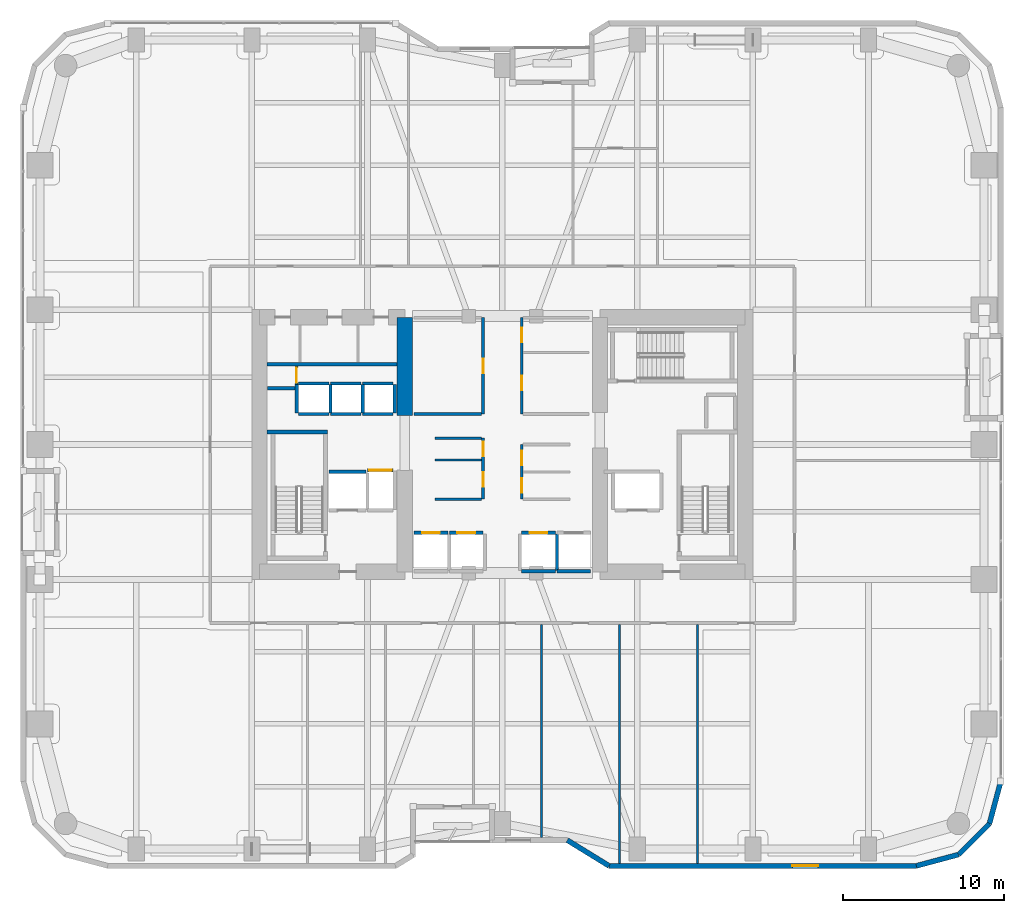
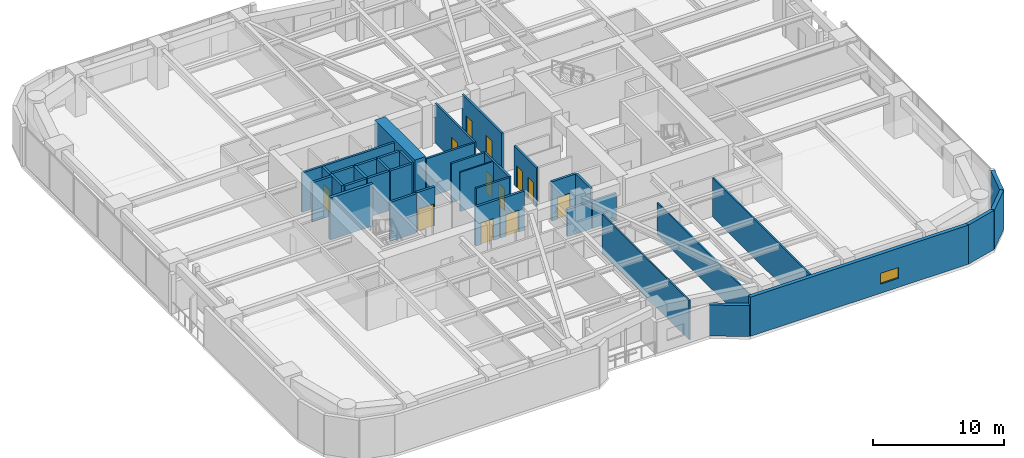
# One storey, part 23 of 29: 39 walls, 12 doors, 1 window, 13 openings.
"""IFC4 building model written with IfcOpenShell, lengths in metres."""

from ifc_helpers import new_model, si_unit, direction, frame, frame_2d, origin, place, context, subcontext, project, spatial, rectangle, extrude, material, layer, layer_set, type_object, element, fill, save


model = new_model("IFC4")

# Units and contexts
model_context = context("Model", 3, precision=1e-05, world=origin(), true_north=direction((0.0, 1.0)))
body_context = subcontext(model_context, "Body", "Model", "MODEL_VIEW")
ifc_project = project(units=[si_unit("LENGTHUNIT", "METRE"), si_unit("AREAUNIT", "SQUARE_METRE"), si_unit("VOLUMEUNIT", "CUBIC_METRE"), si_unit("PLANEANGLEUNIT", "RADIAN"), si_unit("MASSUNIT", "GRAM", prefix="KILO")], contexts=[model_context])

# Site, building, storey
site_placement = place(None, origin())
site = spatial("IfcSite", under=ifc_project, at=site_placement, CompositionType="ELEMENT")
building_placement = place(site_placement, origin())
building = spatial("IfcBuilding", under=site, at=building_placement, Name="Kiyonajd Concourse Tower", CompositionType="ELEMENT")
storey_placement = place(building_placement, frame((0.0, 0.0, 45.0)))
storey = spatial("IfcBuildingStorey", under=building, at=storey_placement, Name="L12", CompositionType="ELEMENT", Elevation=45.0)

# Walls
ifc_material_1 = material(Name="Concrete C80/95", Category="concrete")
ifc_layer_1 = layer(ifc_material_1, 0.949951171875)
ifc_layer_set_1 = layer_set([ifc_layer_1], Name="Concrete C80/95")
wall_type_1 = type_object("IfcWallType", Name="WL-CORE-950", PredefinedType="SHEAR", material=ifc_layer_set_1)
wall_1_placement = place(storey_placement, frame((41.925048828125, 37.800048828125, 0.0), z_axis=(0.0, 0.0, 1.0), x_axis=(0.0, 1.0, 0.0)))
element("IfcWall", 1, at=wall_1_placement, inside=storey, type_object=wall_type_1, Name="L12 West Core Inner North Shear Wall", PredefinedType="SHEAR", context=body_context, shape_type="SweptSolid", body=[
    extrude(rectangle(XDim=6.125, YDim=0.949951171875, at=frame_2d((3.0625, 0.0))), origin(), (0.0, 0.0, 1.0), 3.89990234375),
])
ifc_material_2 = material(Name="Precast concrete C50/60", Category="concrete")
ifc_layer_2 = layer(ifc_material_2, 0.320068359375)
ifc_layer_set_2 = layer_set([ifc_layer_2], Name="Precast concrete C50/60")
wall_type_2 = type_object("IfcWallType", Name="WL-EXT-320", PredefinedType="SOLIDWALL", material=ifc_layer_set_2)
wall_2_placement = place(storey_placement, frame((79.0400390625, 15.02099609375, 0.0), z_axis=(0.0, 0.0, 1.0), x_axis=(-0.25869736047, -0.965958423373, 0.0)))
element("IfcWall", 2, at=wall_2_placement, inside=storey, type_object=wall_type_2, Name="L12 Exterior Concrete Frame Wall 25", PredefinedType="SOLIDWALL", context=body_context, shape_type="SweptSolid", body=[
    extrude(rectangle(XDim=2.731201171875, YDim=0.320068359375, at=frame_2d((1.36572265625, 0.0))), origin(), (0.0, 0.0, 1.0), 3.639892578125),
])
wall_3_placement = place(storey_placement, frame((78.33349609375, 12.3828125, 0.0), z_axis=(0.0, 0.0, 1.0), x_axis=(-0.707106781187, -0.707106781187, 0.0)))
element("IfcWall", 3, at=wall_3_placement, inside=storey, type_object=wall_type_2, Name="L12 Exterior Concrete Frame Wall 26", PredefinedType="SOLIDWALL", context=body_context, shape_type="SweptSolid", body=[
    extrude(rectangle(XDim=2.7099609375, YDim=0.320068359375, at=frame_2d((1.35498046875, 0.0))), origin(), (0.0, 0.0, 1.0), 3.639892578125),
])
wall_4_placement = place(storey_placement, frame((76.417236328125, 10.466552734375, 0.0), z_axis=(0.0, 0.0, 1.0), x_axis=(-0.965964405026, -0.25867502435, 0.0)))
element("IfcWall", 4, at=wall_4_placement, inside=storey, type_object=wall_type_2, Name="L12 Exterior Concrete Frame Wall 27", PredefinedType="SOLIDWALL", context=body_context, shape_type="SweptSolid", body=[
    extrude(rectangle(XDim=2.7314453125, YDim=0.320068359375, at=frame_2d((1.36572265625, 0.0))), origin(), (0.0, 0.0, 1.0), 3.639892578125),
])

# Wall, opening, window
wall_5_placement = place(storey_placement, frame((73.77880859375, 9.760009765625, 0.0), z_axis=(0.0, 0.0, 1.0), x_axis=(-1.0, 0.0, 0.0)))
wall_5 = element("IfcWall", 5, at=wall_5_placement, inside=storey, type_object=wall_type_2, Name="L12 Exterior Concrete Frame Wall 28", PredefinedType="SOLIDWALL", context=body_context, shape_type="SweptSolid", body=[
    extrude(rectangle(XDim=19.133544921875, YDim=0.320068359375, at=frame_2d((9.56689453125, 0.0))), origin(), (0.0, 0.0, 1.0), 3.639892578125),
])
opening_1_placement = place(wall_5_placement, frame((6.114013671875, 0.0, 0.85009765625)))
opening_1 = element("IfcOpeningElement", 6, at=opening_1_placement, cuts=wall_5, Name="Opening WN6", PredefinedType="OPENING", context=body_context, shape_type="SweptSolid", body=[
    extrude(rectangle(XDim=1.60009765625, YDim=1.0, at=frame_2d((0.800048828125, 0.5))), frame((0.0, 0.169921875, 0.0), z_axis=(0.0, -1.0, 0.0), x_axis=(1.0, 0.0, 0.0)), (0.0, 0.0, 1.0), 0.340087890625),
])
ifc_material_3 = material(Name="Double Low-E Insulated Glass", Category="glass")
window_type = type_object("IfcWindowType", Name="WN-VIS-1600x1000", PartitioningType="SINGLE_PANEL", PredefinedType="WINDOW", material=ifc_material_3)
window_placement = place(opening_1_placement, origin())
window = element("IfcWindow", 7, at=window_placement, inside=storey, type_object=window_type, Name="L12 Modular Facade Vision Window 28", OverallHeight=1.0, OverallWidth=1.60009765625, PartitioningType="SINGLE_PANEL", PredefinedType="WINDOW", context=body_context, shape_type="SweptSolid", body=[
    extrude(rectangle(XDim=1.60009765625, YDim=1.0, at=frame_2d((0.800048828125, 0.5))), frame((0.0, 0.030029296875, 0.0), z_axis=(0.0, -1.0, 0.0), x_axis=(1.0, 0.0, 0.0)), (0.0, 0.0, 1.0), 0.06005859375),
])
fill(opening_1, window)

# Walls
wall_6_placement = place(storey_placement, frame((54.645263671875, 9.760009765625, 0.0), z_axis=(0.0, 0.0, 1.0), x_axis=(-0.851630857047, 0.524142044989, 0.0)))
element("IfcWall", 8, at=wall_6_placement, inside=storey, type_object=wall_type_2, Name="L12 Exterior Concrete Frame Wall 29", PredefinedType="SOLIDWALL", context=body_context, shape_type="SweptSolid", body=[
    extrude(rectangle(XDim=3.052734375, YDim=0.320068359375, at=frame_2d((1.5263671875, 0.0))), origin(), (0.0, 0.0, 1.0), 2.875),
])
ifc_material_4 = material(Name="Gypsum Board on Cold-Formed Steel Stud", Category="steel")
ifc_layer_3 = layer(ifc_material_4, 0.125)
ifc_layer_set_3 = layer_set([ifc_layer_3], Name="Gypsum Board on Cold-Formed Steel Stud")
wall_type_3 = type_object("IfcWallType", Name="WL-PART-125", PredefinedType="PARTITIONING", material=ifc_layer_set_3)
wall_7_placement = place(storey_placement, frame((43.800048828125, 35.031982421875, 0.0), z_axis=(0.0, 0.0, 1.0), x_axis=(1.0, 0.0, 0.0)))
element("IfcWall", 9, at=wall_7_placement, inside=storey, type_object=wall_type_3, Name="L12 Interior Partition Wall", PredefinedType="PARTITIONING", context=body_context, shape_type="SweptSolid", body=[
    extrude(rectangle(XDim=2.912841796875, YDim=0.125, at=frame_2d((1.45654296875, 0.0))), origin(), (0.0, 0.0, 1.0), 3.639892578125),
])
wall_8_placement = place(storey_placement, frame((50.429931640625, 11.514892578125, 0.0), z_axis=(0.0, 0.0, 1.0), x_axis=(0.0, 1.0, 0.0)))
element("IfcWall", 10, at=wall_8_placement, inside=storey, type_object=wall_type_3, Name="L12 Interior Partition Wall", PredefinedType="PARTITIONING", context=body_context, shape_type="SweptSolid", body=[
    extrude(rectangle(XDim=13.2880859375, YDim=0.125, at=frame_2d((6.64404296875, 0.0))), origin(), (0.0, 0.0, 1.0), 3.639892578125),
])
wall_9_placement = place(storey_placement, frame((55.2900390625, 9.9150390625, 0.0), z_axis=(0.0, 0.0, 1.0), x_axis=(0.0, 1.0, 0.0)))
element("IfcWall", 11, at=wall_9_placement, inside=storey, type_object=wall_type_3, Name="L12 Interior Partition Wall", PredefinedType="PARTITIONING", context=body_context, shape_type="SweptSolid", body=[
    extrude(rectangle(XDim=14.887939453125, YDim=0.125, at=frame_2d((7.44384765625, 0.0))), origin(), (0.0, 0.0, 1.0), 3.0029296875),
])
wall_10_placement = place(storey_placement, frame((60.139892578125, 9.9150390625, 0.0), z_axis=(0.0, 0.0, 1.0), x_axis=(0.0, 1.0, 0.0)))
element("IfcWall", 12, at=wall_10_placement, inside=storey, type_object=wall_type_3, Name="L12 Interior Partition Wall", PredefinedType="PARTITIONING", context=body_context, shape_type="SweptSolid", body=[
    extrude(rectangle(XDim=14.887939453125, YDim=0.125, at=frame_2d((7.44384765625, 0.0))), origin(), (0.0, 0.0, 1.0), 3.639892578125),
])
ifc_layer_4 = layer(ifc_material_4, 0.18994140625)
ifc_layer_set_4 = layer_set([ifc_layer_4], Name="Gypsum Board on Cold-Formed Steel Stud")
wall_type_4 = type_object("IfcWallType", Name="WL-PLMB-190", PredefinedType="PLUMBINGWALL", material=ifc_layer_set_4)
wall_11_placement = place(storey_placement, frame((33.35009765625, 41.0, 0.0), z_axis=(0.0, 0.0, 1.0), x_axis=(1.0, 0.0, 0.0)))
element("IfcWall", 13, at=wall_11_placement, inside=storey, type_object=wall_type_4, Name="L12 Interior Partition Wall", PredefinedType="PLUMBINGWALL", context=body_context, shape_type="SweptSolid", body=[
    extrude(rectangle(XDim=8.099853515625, YDim=0.18994140625, at=frame_2d((4.0498046875, 0.0))), origin(), (0.0, 0.0, 1.0), 3.639892578125),
])
ifc_layer_5 = layer(ifc_material_4, 0.2099609375)
ifc_layer_set_5 = layer_set([ifc_layer_5], Name="Gypsum Board on Cold-Formed Steel Stud")
wall_type_5 = type_object("IfcWallType", Name="WL-SHAFT-210", PredefinedType="PARTITIONING", material=ifc_layer_set_5)
wall_12_placement = place(storey_placement, frame((33.360107421875, 39.5, 0.0), z_axis=(0.0, 0.0, 1.0), x_axis=(1.0, 0.0, 0.0)))
element("IfcWall", 14, at=wall_12_placement, inside=storey, type_object=wall_type_5, Name="L12 Shaft Enclosure Wall", PredefinedType="PARTITIONING", context=body_context, shape_type="SweptSolid", body=[
    extrude(rectangle(XDim=1.85986328125, YDim=0.2099609375, at=frame_2d((0.929931640625, 0.0))), origin(), (0.0, 0.0, 1.0), 3.639892578125),
])
wall_13_placement = place(storey_placement, frame((37.199951171875, 34.300048828125, 0.0), z_axis=(0.0, 0.0, 1.0), x_axis=(1.0, 0.0, 0.0)))
element("IfcWall", 15, at=wall_13_placement, inside=storey, type_object=wall_type_5, Name="L12 Shaft Enclosure Wall", PredefinedType="PARTITIONING", context=body_context, shape_type="SweptSolid", body=[
    extrude(rectangle(XDim=2.300048828125, YDim=0.2099609375, at=frame_2d((1.14990234375, 0.0))), origin(), (0.0, 0.0, 1.0), 3.639892578125),
])

# Wall, opening, door
wall_14_placement = place(storey_placement, frame((39.60009765625, 34.39990234375, 0.0), z_axis=(0.0, 0.0, 1.0), x_axis=(1.0, 0.0, 0.0)))
wall_14 = element("IfcWall", 16, at=wall_14_placement, inside=storey, type_object=wall_type_5, Name="L12 Shaft Enclosure Wall", PredefinedType="PARTITIONING", context=body_context, shape_type="SweptSolid", body=[
    extrude(rectangle(XDim=1.599853515625, YDim=0.2099609375, at=frame_2d((0.7998046875, 0.0))), origin(), (0.0, 0.0, 1.0), 3.639892578125),
])
opening_2_placement = place(wall_14_placement, frame((0.10009765625, 0.0, 0.0)))
opening_2 = element("IfcOpeningElement", 17, at=opening_2_placement, cuts=wall_14, Name="Opening LD3", PredefinedType="OPENING", context=body_context, shape_type="SweptSolid", body=[
    extrude(rectangle(XDim=1.39990234375, YDim=2.06005859375, at=frame_2d((0.699951171875, 1.030029296875))), frame((0.0, 0.114990234375, 0.0), z_axis=(0.0, -1.0, 0.0), x_axis=(1.0, 0.0, 0.0)), (0.0, 0.0, 1.0), 0.22998046875),
])
ifc_material_5 = material(Name="Brushed Stainless Steel Cab Assembly", Category="steel")
door_type_1 = type_object("IfcDoorType", Name="DR-LD-1400", OperationType="DOUBLE_DOOR_SLIDING", PredefinedType="DOOR", material=ifc_material_5)
door_1_placement = place(opening_2_placement, origin())
door_1 = element("IfcDoor", 18, at=door_1_placement, inside=storey, type_object=door_type_1, Name="L12 Lift SVL1 Sliding Landing Door", OperationType="DOUBLE_DOOR_SLIDING", OverallHeight=2.06005859375, OverallWidth=1.39990234375, PredefinedType="DOOR", context=body_context, shape_type="SweptSolid", body=[
    extrude(rectangle(XDim=1.39990234375, YDim=2.06005859375, at=frame_2d((0.699951171875, 1.030029296875))), frame((0.0, 0.02490234375, 0.0), z_axis=(0.0, -1.0, 0.0), x_axis=(1.0, 0.0, 0.0)), (0.0, 0.0, 1.0), 0.050048828125),
])
fill(opening_2, door_1)

wall_15_placement = place(storey_placement, frame((42.5, 30.5, 0.0), z_axis=(0.0, 0.0, 1.0), x_axis=(1.0, 0.0, 0.0)))
wall_15 = element("IfcWall", 19, at=wall_15_placement, inside=storey, type_object=wall_type_5, Name="L12 Shaft Enclosure Wall", PredefinedType="PARTITIONING", context=body_context, shape_type="SweptSolid", body=[
    extrude(rectangle(XDim=2.10009765625, YDim=0.2099609375, at=frame_2d((1.050048828125, 0.0))), origin(), (0.0, 0.0, 1.0), 3.639892578125),
])
opening_3_placement = place(wall_15_placement, frame((0.5, 0.0, 0.0)))
opening_3 = element("IfcOpeningElement", 20, at=opening_3_placement, cuts=wall_15, Name="Opening LD1", PredefinedType="OPENING", context=body_context, shape_type="SweptSolid", body=[
    extrude(rectangle(XDim=1.10009765625, YDim=2.0400390625, at=frame_2d((0.550048828125, 1.02001953125))), frame((0.0, 0.114990234375, 0.0), z_axis=(0.0, -1.0, 0.0), x_axis=(1.0, 0.0, 0.0)), (0.0, 0.0, 1.0), 0.22998046875),
])
door_type_2 = type_object("IfcDoorType", Name="DR-LD-1100", OperationType="DOUBLE_DOOR_SLIDING", PredefinedType="DOOR", material=ifc_material_5)
door_2_placement = place(opening_3_placement, origin())
door_2 = element("IfcDoor", 21, at=door_2_placement, inside=storey, type_object=door_type_2, Name="L12 Lift PL-L1 Sliding Landing Door", OperationType="DOUBLE_DOOR_SLIDING", OverallHeight=2.0400390625, OverallWidth=1.10009765625, PredefinedType="DOOR", context=body_context, shape_type="SweptSolid", body=[
    extrude(rectangle(XDim=1.10009765625, YDim=2.0400390625, at=frame_2d((0.550048828125, 1.02001953125))), frame((0.0, 0.02490234375, 0.0), z_axis=(0.0, -1.0, 0.0), x_axis=(1.0, 0.0, 0.0)), (0.0, 0.0, 1.0), 0.050048828125),
])
fill(opening_3, door_2)

wall_16_placement = place(storey_placement, frame((44.699951171875, 30.5, 0.0), z_axis=(0.0, 0.0, 1.0), x_axis=(1.0, 0.0, 0.0)))
wall_16 = element("IfcWall", 22, at=wall_16_placement, inside=storey, type_object=wall_type_5, Name="L12 Shaft Enclosure Wall", PredefinedType="PARTITIONING", context=body_context, shape_type="SweptSolid", body=[
    extrude(rectangle(XDim=2.10009765625, YDim=0.2099609375, at=frame_2d((1.050048828125, 0.0))), origin(), (0.0, 0.0, 1.0), 3.639892578125),
])
opening_4_placement = place(wall_16_placement, frame((0.5, 0.0, 0.0)))
opening_4 = element("IfcOpeningElement", 23, at=opening_4_placement, cuts=wall_16, Name="Opening LD1", PredefinedType="OPENING", context=body_context, shape_type="SweptSolid", body=[
    extrude(rectangle(XDim=1.10009765625, YDim=2.0400390625, at=frame_2d((0.550048828125, 1.02001953125))), frame((0.0, 0.114990234375, 0.0), z_axis=(0.0, -1.0, 0.0), x_axis=(1.0, 0.0, 0.0)), (0.0, 0.0, 1.0), 0.22998046875),
])
door_3_placement = place(opening_4_placement, origin())
door_3 = element("IfcDoor", 24, at=door_3_placement, inside=storey, type_object=door_type_2, Name="L12 Lift PL-L2 Sliding Landing Door", OperationType="DOUBLE_DOOR_SLIDING", OverallHeight=2.0400390625, OverallWidth=1.10009765625, PredefinedType="DOOR", context=body_context, shape_type="SweptSolid", body=[
    extrude(rectangle(XDim=1.10009765625, YDim=2.0400390625, at=frame_2d((0.550048828125, 1.02001953125))), frame((0.0, 0.02490234375, 0.0), z_axis=(0.0, -1.0, 0.0), x_axis=(1.0, 0.0, 0.0)), (0.0, 0.0, 1.0), 0.050048828125),
])
fill(opening_4, door_3)

wall_17_placement = place(storey_placement, frame((49.199951171875, 30.5, 0.0), z_axis=(0.0, 0.0, 1.0), x_axis=(1.0, 0.0, 0.0)))
wall_17 = element("IfcWall", 25, at=wall_17_placement, inside=storey, type_object=wall_type_5, Name="L12 Shaft Enclosure Wall", PredefinedType="PARTITIONING", context=body_context, shape_type="SweptSolid", body=[
    extrude(rectangle(XDim=2.10009765625, YDim=0.2099609375, at=frame_2d((1.050048828125, 0.0))), origin(), (0.0, 0.0, 1.0), 3.639892578125),
])
opening_5_placement = place(wall_17_placement, frame((0.5, 0.0, 0.0)))
opening_5 = element("IfcOpeningElement", 26, at=opening_5_placement, cuts=wall_17, Name="Opening LD1", PredefinedType="OPENING", context=body_context, shape_type="SweptSolid", body=[
    extrude(rectangle(XDim=1.10009765625, YDim=2.0400390625, at=frame_2d((0.550048828125, 1.02001953125))), frame((0.0, 0.114990234375, 0.0), z_axis=(0.0, -1.0, 0.0), x_axis=(1.0, 0.0, 0.0)), (0.0, 0.0, 1.0), 0.22998046875),
])
door_4_placement = place(opening_5_placement, origin())
door_4 = element("IfcDoor", 27, at=door_4_placement, inside=storey, type_object=door_type_2, Name="L12 Lift PL-L3 Sliding Landing Door", OperationType="DOUBLE_DOOR_SLIDING", OverallHeight=2.0400390625, OverallWidth=1.10009765625, PredefinedType="DOOR", context=body_context, shape_type="SweptSolid", body=[
    extrude(rectangle(XDim=1.10009765625, YDim=2.0400390625, at=frame_2d((0.550048828125, 1.02001953125))), frame((0.0, 0.02490234375, 0.0), z_axis=(0.0, -1.0, 0.0), x_axis=(1.0, 0.0, 0.0)), (0.0, 0.0, 1.0), 0.050048828125),
])
fill(opening_5, door_4)

# Walls
wall_18_placement = place(storey_placement, frame((49.199951171875, 28.10009765625, 0.0), z_axis=(0.0, 0.0, 1.0), x_axis=(1.0, 0.0, 0.0)))
element("IfcWall", 28, at=wall_18_placement, inside=storey, type_object=wall_type_5, Name="L12 Shaft Enclosure Wall", PredefinedType="PARTITIONING", context=body_context, shape_type="SweptSolid", body=[
    extrude(rectangle(XDim=2.10009765625, YDim=0.2099609375, at=frame_2d((1.050048828125, 0.0))), origin(), (0.0, 0.0, 1.0), 2.52490234375),
])
wall_19_placement = place(storey_placement, frame((51.39990234375, 28.159912109375, 0.0), z_axis=(0.0, 0.0, 1.0), x_axis=(0.0, 1.0, 0.0)))
element("IfcWall", 29, at=wall_19_placement, inside=storey, type_object=wall_type_5, Name="L12 Shaft Enclosure Wall", PredefinedType="PARTITIONING", context=body_context, shape_type="SweptSolid", body=[
    extrude(rectangle(XDim=2.280029296875, YDim=0.2099609375, at=frame_2d((1.14013671875, 0.0))), origin(), (0.0, 0.0, 1.0), 3.639892578125),
])
wall_20_placement = place(storey_placement, frame((51.39990234375, 28.10009765625, 0.0), z_axis=(0.0, 0.0, 1.0), x_axis=(1.0, 0.0, 0.0)))
element("IfcWall", 30, at=wall_20_placement, inside=storey, type_object=wall_type_5, Name="L12 Shaft Enclosure Wall", PredefinedType="PARTITIONING", context=body_context, shape_type="SweptSolid", body=[
    extrude(rectangle(XDim=2.10009765625, YDim=0.2099609375, at=frame_2d((1.050048828125, 0.0))), origin(), (0.0, 0.0, 1.0), 2.52490234375),
])
for number, where, z_axis, x_axis, name in (
    (31, (35.300048828125, 37.89990234375, 0.0), (0.0, 0.0, 1.0), (1.0, 0.0, 0.0), "L12 Shaft Enclosure Wall"),
    (32, (35.300048828125, 39.800048828125, 0.0), (0.0, 0.0, 1.0), (1.0, 0.0, 0.0), "L12 Shaft Enclosure Wall"),
):
    element("IfcWall", number, at=place(storey_placement, frame(where, z_axis=z_axis, x_axis=x_axis)), inside=storey, type_object=wall_type_5, Name=name, PredefinedType="PARTITIONING", context=body_context, shape_type="SweptSolid", body=[
        extrude(rectangle(XDim=1.89990234375, YDim=0.2099609375, at=frame_2d((0.949951171875, 0.0))), origin(), (0.0, 0.0, 1.0), 3.639892578125),
    ])
for number, where, z_axis, x_axis, name in (
    (33, (35.199951171875, 37.9599609375, 0.0), (0.0, 0.0, 1.0), (0.0, 1.0, 0.0), "L12 Shaft Enclosure Wall"),
    (34, (37.300048828125, 37.9599609375, 0.0), (0.0, 0.0, 1.0), (0.0, 1.0, 0.0), "L12 Shaft Enclosure Wall"),
):
    element("IfcWall", number, at=place(storey_placement, frame(where, z_axis=z_axis, x_axis=x_axis)), inside=storey, type_object=wall_type_5, Name=name, PredefinedType="PARTITIONING", context=body_context, shape_type="SweptSolid", body=[
        extrude(rectangle(XDim=1.780029296875, YDim=0.2099609375, at=frame_2d((0.89013671875, 0.0))), origin(), (0.0, 0.0, 1.0), 3.639892578125),
    ])
for number, where, z_axis, x_axis, name in (
    (35, (37.300048828125, 37.89990234375, 0.0), (0.0, 0.0, 1.0), (1.0, 0.0, 0.0), "L12 Shaft Enclosure Wall"),
    (36, (37.300048828125, 39.800048828125, 0.0), (0.0, 0.0, 1.0), (1.0, 0.0, 0.0), "L12 Shaft Enclosure Wall"),
):
    element("IfcWall", number, at=place(storey_placement, frame(where, z_axis=z_axis, x_axis=x_axis)), inside=storey, type_object=wall_type_5, Name=name, PredefinedType="PARTITIONING", context=body_context, shape_type="SweptSolid", body=[
        extrude(rectangle(XDim=1.89990234375, YDim=0.2099609375, at=frame_2d((0.949951171875, 0.0))), origin(), (0.0, 0.0, 1.0), 3.639892578125),
    ])
wall_21_placement = place(storey_placement, frame((39.300048828125, 37.9599609375, 0.0), z_axis=(0.0, 0.0, 1.0), x_axis=(0.0, 1.0, 0.0)))
element("IfcWall", 37, at=wall_21_placement, inside=storey, type_object=wall_type_5, Name="L12 Shaft Enclosure Wall", PredefinedType="PARTITIONING", context=body_context, shape_type="SweptSolid", body=[
    extrude(rectangle(XDim=1.780029296875, YDim=0.2099609375, at=frame_2d((0.89013671875, 0.0))), origin(), (0.0, 0.0, 1.0), 3.639892578125),
])
for number, where, z_axis, x_axis, name in (
    (38, (39.300048828125, 37.89990234375, 0.0), (0.0, 0.0, 1.0), (1.0, 0.0, 0.0), "L12 Shaft Enclosure Wall"),
    (39, (39.300048828125, 39.800048828125, 0.0), (0.0, 0.0, 1.0), (1.0, 0.0, 0.0), "L12 Shaft Enclosure Wall"),
):
    element("IfcWall", number, at=place(storey_placement, frame(where, z_axis=z_axis, x_axis=x_axis)), inside=storey, type_object=wall_type_5, Name=name, PredefinedType="PARTITIONING", context=body_context, shape_type="SweptSolid", body=[
        extrude(rectangle(XDim=1.89990234375, YDim=0.2099609375, at=frame_2d((0.949951171875, 0.0))), origin(), (0.0, 0.0, 1.0), 3.639892578125),
    ])
wall_22_placement = place(storey_placement, frame((41.300048828125, 37.9599609375, 0.0), z_axis=(0.0, 0.0, 1.0), x_axis=(0.0, 1.0, 0.0)))
element("IfcWall", 40, at=wall_22_placement, inside=storey, type_object=wall_type_5, Name="L12 Shaft Enclosure Wall", PredefinedType="PARTITIONING", context=body_context, shape_type="SweptSolid", body=[
    extrude(rectangle(XDim=1.780029296875, YDim=0.2099609375, at=frame_2d((0.89013671875, 0.0))), origin(), (0.0, 0.0, 1.0), 3.639892578125),
])

# Wall, opening, door
wall_23_placement = place(storey_placement, frame((35.179931640625, 39.739990234375, 0.0), z_axis=(0.0, 0.0, 1.0), x_axis=(0.0, 1.0, 0.0)))
wall_23 = element("IfcWall", 41, at=wall_23_placement, inside=storey, type_object=wall_type_5, Name="L12 Interior Partition Wall", PredefinedType="PARTITIONING", context=body_context, shape_type="SweptSolid", body=[
    extrude(rectangle(XDim=1.159912109375, YDim=0.2099609375, at=frame_2d((0.580078125, 0.0))), origin(), (0.0, 0.0, 1.0), 3.639892578125),
])
opening_6_placement = place(wall_23_placement, frame((0.10498046875, 0.0, 0.0)))
opening_6 = element("IfcOpeningElement", 42, at=opening_6_placement, cuts=wall_23, Name="Opening DF3", PredefinedType="OPENING", context=body_context, shape_type="SweptSolid", body=[
    extrude(rectangle(XDim=0.949951171875, YDim=2.0400390625, at=frame_2d((0.47509765625, 1.02001953125))), frame((0.0, 0.114990234375, 0.0), z_axis=(0.0, -1.0, 0.0), x_axis=(1.0, 0.0, 0.0)), (0.0, 0.0, 1.0), 0.22998046875),
])
door_type_3 = type_object("IfcDoorType", Name="DR-FD60-950", OperationType="NOTDEFINED", PredefinedType="DOOR", material=ifc_material_5)
door_5_placement = place(opening_6_placement, origin())
door_5 = element("IfcDoor", 43, at=door_5_placement, inside=storey, type_object=door_type_3, Name="L12 Electrical Riser Access Door", OperationType="SINGLE_SWING_LEFT", OverallHeight=2.0400390625, OverallWidth=0.949951171875, PredefinedType="DOOR", context=body_context, shape_type="SweptSolid", body=[
    extrude(rectangle(XDim=0.949951171875, YDim=2.0400390625, at=frame_2d((0.47509765625, 1.02001953125))), frame((0.0, 0.02490234375, 0.0), z_axis=(0.0, -1.0, 0.0), x_axis=(1.0, 0.0, 0.0)), (0.0, 0.0, 1.0), 0.050048828125),
])
fill(opening_6, door_5)

# Wall, openings, doors
ifc_layer_6 = layer(ifc_material_4, 0.169921875)
ifc_layer_set_6 = layer_set([ifc_layer_6], Name="Gypsum Board on Cold-Formed Steel Stud")
wall_type_6 = type_object("IfcWallType", Name="WL-SMK-170", PredefinedType="PARTITIONING", material=ifc_layer_set_6)
wall_24_placement = place(storey_placement, frame((46.800048828125, 32.60009765625, 0.0), z_axis=(0.0, 0.0, 1.0), x_axis=(0.0, 1.0, 0.0)))
wall_24 = element("IfcWall", 44, at=wall_24_placement, inside=storey, type_object=wall_type_6, Name="L12 Interior Partition Wall", PredefinedType="PARTITIONING", context=body_context, shape_type="SweptSolid", body=[
    extrude(rectangle(XDim=3.7998046875, YDim=0.169921875, at=frame_2d((1.89990234375, 0.0))), origin(), (0.0, 0.0, 1.0), 3.639892578125),
])
opening_7_placement = place(wall_24_placement, frame((0.76611328125, 0.0, 0.0)))
opening_7 = element("IfcOpeningElement", 45, at=opening_7_placement, cuts=wall_24, Name="Opening DF4", PredefinedType="OPENING", context=body_context, shape_type="SweptSolid", body=[
    extrude(rectangle(XDim=0.89990234375, YDim=2.02001953125, at=frame_2d((0.449951171875, 1.010009765625))), frame((0.0, 0.094970703125, 0.0), z_axis=(0.0, -1.0, 0.0), x_axis=(1.0, 0.0, 0.0)), (0.0, 0.0, 1.0), 0.18994140625),
])
opening_8_placement = place(wall_24_placement, frame((2.666015625, 0.0, 0.0)))
opening_8 = element("IfcOpeningElement", 46, at=opening_8_placement, cuts=wall_24, Name="Opening DF4", PredefinedType="OPENING", context=body_context, shape_type="SweptSolid", body=[
    extrude(rectangle(XDim=0.89990234375, YDim=2.02001953125, at=frame_2d((0.449951171875, 1.010009765625))), frame((0.0, 0.094970703125, 0.0), z_axis=(0.0, -1.0, 0.0), x_axis=(1.0, 0.0, 0.0)), (0.0, 0.0, 1.0), 0.18994140625),
])
door_type_4 = type_object("IfcDoorType", Name="DR-FD60-900", OperationType="NOTDEFINED", PredefinedType="DOOR", material=ifc_material_5)
door_6_placement = place(opening_7_placement, origin())
door_6 = element("IfcDoor", 47, at=door_6_placement, inside=storey, type_object=door_type_4, Name="L12 Interior Door", OperationType="SINGLE_SWING_RIGHT", OverallHeight=2.02001953125, OverallWidth=0.89990234375, PredefinedType="DOOR", context=body_context, shape_type="SweptSolid", body=[
    extrude(rectangle(XDim=0.89990234375, YDim=2.02001953125, at=frame_2d((0.449951171875, 1.010009765625))), frame((0.0, 0.02490234375, 0.0), z_axis=(0.0, -1.0, 0.0), x_axis=(1.0, 0.0, 0.0)), (0.0, 0.0, 1.0), 0.050048828125),
])
fill(opening_7, door_6)
door_7_placement = place(opening_8_placement, origin())
door_7 = element("IfcDoor", 48, at=door_7_placement, inside=storey, type_object=door_type_4, Name="L12 Interior Door", OperationType="SINGLE_SWING_LEFT", OverallHeight=2.02001953125, OverallWidth=0.89990234375, PredefinedType="DOOR", context=body_context, shape_type="SweptSolid", body=[
    extrude(rectangle(XDim=0.89990234375, YDim=2.02001953125, at=frame_2d((0.449951171875, 1.010009765625))), frame((0.0, 0.02490234375, 0.0), z_axis=(0.0, -1.0, 0.0), x_axis=(1.0, 0.0, 0.0)), (0.0, 0.0, 1.0), 0.050048828125),
])
fill(opening_8, door_7)

# Walls
for number, where, z_axis, x_axis, name in (
    (49, (43.800048828125, 32.60009765625, 0.0), (0.0, 0.0, 1.0), (1.0, 0.0, 0.0), "L12 Interior Partition Wall"),
    (50, (43.800048828125, 36.39990234375, 0.0), (0.0, 0.0, 1.0), (1.0, 0.0, 0.0), "L12 Interior Partition Wall"),
):
    element("IfcWall", number, at=place(storey_placement, frame(where, z_axis=z_axis, x_axis=x_axis)), inside=storey, type_object=wall_type_6, Name=name, PredefinedType="PARTITIONING", context=body_context, shape_type="SweptSolid", body=[
        extrude(rectangle(XDim=2.912841796875, YDim=0.169921875, at=frame_2d((1.45654296875, 0.0))), origin(), (0.0, 0.0, 1.0), 3.639892578125),
    ])

# Wall, openings, doors
wall_25_placement = place(storey_placement, frame((49.199951171875, 32.60009765625, 0.0), z_axis=(0.0, 0.0, 1.0), x_axis=(0.0, 1.0, 0.0)))
wall_25 = element("IfcWall", 51, at=wall_25_placement, inside=storey, type_object=wall_type_6, Name="L12 Interior Partition Wall", PredefinedType="PARTITIONING", context=body_context, shape_type="SweptSolid", body=[
    extrude(rectangle(XDim=3.39990234375, YDim=0.169921875, at=frame_2d((1.699951171875, 0.0))), origin(), (0.0, 0.0, 1.0), 3.639892578125),
])
opening_9_placement = place(wall_25_placement, frame((0.39990234375, 0.0, 0.0)))
opening_9 = element("IfcOpeningElement", 52, at=opening_9_placement, cuts=wall_25, Name="Opening DI2", PredefinedType="OPENING", context=body_context, shape_type="SweptSolid", body=[
    extrude(rectangle(XDim=0.89990234375, YDim=2.02001953125, at=frame_2d((0.449951171875, 1.010009765625))), frame((0.0, 0.094970703125, 0.0), z_axis=(0.0, -1.0, 0.0), x_axis=(1.0, 0.0, 0.0)), (0.0, 0.0, 1.0), 0.18994140625),
])
opening_10_placement = place(wall_25_placement, frame((2.10009765625, 0.0, 0.0)))
opening_10 = element("IfcOpeningElement", 53, at=opening_10_placement, cuts=wall_25, Name="Opening DI2", PredefinedType="OPENING", context=body_context, shape_type="SweptSolid", body=[
    extrude(rectangle(XDim=0.89990234375, YDim=2.02001953125, at=frame_2d((0.449951171875, 1.010009765625))), frame((0.0, 0.094970703125, 0.0), z_axis=(0.0, -1.0, 0.0), x_axis=(1.0, 0.0, 0.0)), (0.0, 0.0, 1.0), 0.18994140625),
])
ifc_material_6 = material(Name="Natural Oak Acoustic Timber Veneer", Category="wood")
door_type_5 = type_object("IfcDoorType", Name="DR-INT-900", OperationType="NOTDEFINED", PredefinedType="DOOR", material=ifc_material_6)
door_8_placement = place(opening_9_placement, origin())
door_8 = element("IfcDoor", 54, at=door_8_placement, inside=storey, type_object=door_type_5, Name="L12 Interior Door", OperationType="SINGLE_SWING_RIGHT", OverallHeight=2.02001953125, OverallWidth=0.89990234375, PredefinedType="DOOR", context=body_context, shape_type="SweptSolid", body=[
    extrude(rectangle(XDim=0.89990234375, YDim=2.02001953125, at=frame_2d((0.449951171875, 1.010009765625))), frame((0.0, 0.02490234375, 0.0), z_axis=(0.0, -1.0, 0.0), x_axis=(1.0, 0.0, 0.0)), (0.0, 0.0, 1.0), 0.050048828125),
])
fill(opening_9, door_8)
door_9_placement = place(opening_10_placement, origin())
door_9 = element("IfcDoor", 55, at=door_9_placement, inside=storey, type_object=door_type_5, Name="L12 Interior Door", OperationType="SINGLE_SWING_LEFT", OverallHeight=2.02001953125, OverallWidth=0.89990234375, PredefinedType="DOOR", context=body_context, shape_type="SweptSolid", body=[
    extrude(rectangle(XDim=0.89990234375, YDim=2.02001953125, at=frame_2d((0.449951171875, 1.010009765625))), frame((0.0, 0.02490234375, 0.0), z_axis=(0.0, -1.0, 0.0), x_axis=(1.0, 0.0, 0.0)), (0.0, 0.0, 1.0), 0.050048828125),
])
fill(opening_10, door_9)

# Wall, opening, door
wall_26_placement = place(storey_placement, frame((46.800048828125, 37.89990234375, 0.0), z_axis=(0.0, 0.0, 1.0), x_axis=(0.0, 1.0, 0.0)))
wall_26 = element("IfcWall", 56, at=wall_26_placement, inside=storey, type_object=wall_type_6, Name="L12 Interior Partition Wall", PredefinedType="PARTITIONING", context=body_context, shape_type="SweptSolid", body=[
    extrude(rectangle(XDim=6.0, YDim=0.169921875, at=frame_2d((3.0, 0.0))), origin(), (0.0, 0.0, 1.0), 3.639892578125),
])
opening_11_placement = place(wall_26_placement, frame((2.550048828125, 0.0, 0.0)))
opening_11 = element("IfcOpeningElement", 57, at=opening_11_placement, cuts=wall_26, Name="Opening DI2", PredefinedType="OPENING", context=body_context, shape_type="SweptSolid", body=[
    extrude(rectangle(XDim=0.89990234375, YDim=2.02001953125, at=frame_2d((0.449951171875, 1.010009765625))), frame((0.0, 0.094970703125, 0.0), z_axis=(0.0, -1.0, 0.0), x_axis=(1.0, 0.0, 0.0)), (0.0, 0.0, 1.0), 0.18994140625),
])
door_10_placement = place(opening_11_placement, origin())
door_10 = element("IfcDoor", 58, at=door_10_placement, inside=storey, type_object=door_type_5, Name="L12 Interior Door", OperationType="SINGLE_SWING_RIGHT", OverallHeight=2.02001953125, OverallWidth=0.89990234375, PredefinedType="DOOR", context=body_context, shape_type="SweptSolid", body=[
    extrude(rectangle(XDim=0.89990234375, YDim=2.02001953125, at=frame_2d((0.449951171875, 1.010009765625))), frame((0.0, 0.02490234375, 0.0), z_axis=(0.0, -1.0, 0.0), x_axis=(1.0, 0.0, 0.0)), (0.0, 0.0, 1.0), 0.050048828125),
])
fill(opening_11, door_10)

# Wall
wall_27_placement = place(storey_placement, frame((42.5, 37.89990234375, 0.0), z_axis=(0.0, 0.0, 1.0), x_axis=(1.0, 0.0, 0.0)))
element("IfcWall", 59, at=wall_27_placement, inside=storey, type_object=wall_type_6, Name="L12 Interior Partition Wall", PredefinedType="PARTITIONING", context=body_context, shape_type="SweptSolid", body=[
    extrude(rectangle(XDim=4.212890625, YDim=0.169921875, at=frame_2d((2.1064453125, 0.0))), origin(), (0.0, 0.0, 1.0), 3.639892578125),
])

# Wall, openings, doors
wall_28_placement = place(storey_placement, frame((49.199951171875, 37.89990234375, 0.0), z_axis=(0.0, 0.0, 1.0), x_axis=(0.0, 1.0, 0.0)))
wall_28 = element("IfcWall", 60, at=wall_28_placement, inside=storey, type_object=wall_type_6, Name="L12 Interior Partition Wall", PredefinedType="PARTITIONING", context=body_context, shape_type="SweptSolid", body=[
    extrude(rectangle(XDim=6.0, YDim=0.169921875, at=frame_2d((3.0, 0.0))), origin(), (0.0, 0.0, 1.0), 3.639892578125),
])
opening_12_placement = place(wall_28_placement, frame((1.469970703125, 0.0, 0.0)))
opening_12 = element("IfcOpeningElement", 61, at=opening_12_placement, cuts=wall_28, Name="Opening DF4", PredefinedType="OPENING", context=body_context, shape_type="SweptSolid", body=[
    extrude(rectangle(XDim=0.89990234375, YDim=2.02001953125, at=frame_2d((0.449951171875, 1.010009765625))), frame((0.0, 0.094970703125, 0.0), z_axis=(0.0, -1.0, 0.0), x_axis=(1.0, 0.0, 0.0)), (0.0, 0.0, 1.0), 0.18994140625),
])
opening_13_placement = place(wall_28_placement, frame((4.469970703125, 0.0, 0.0)))
opening_13 = element("IfcOpeningElement", 62, at=opening_13_placement, cuts=wall_28, Name="Opening DF4", PredefinedType="OPENING", context=body_context, shape_type="SweptSolid", body=[
    extrude(rectangle(XDim=0.89990234375, YDim=2.02001953125, at=frame_2d((0.449951171875, 1.010009765625))), frame((0.0, 0.094970703125, 0.0), z_axis=(0.0, -1.0, 0.0), x_axis=(1.0, 0.0, 0.0)), (0.0, 0.0, 1.0), 0.18994140625),
])
door_11_placement = place(opening_12_placement, origin())
door_11 = element("IfcDoor", 63, at=door_11_placement, inside=storey, type_object=door_type_4, Name="L12 Interior Door", OperationType="SINGLE_SWING_LEFT", OverallHeight=2.02001953125, OverallWidth=0.89990234375, PredefinedType="DOOR", context=body_context, shape_type="SweptSolid", body=[
    extrude(rectangle(XDim=0.89990234375, YDim=2.02001953125, at=frame_2d((0.449951171875, 1.010009765625))), frame((0.0, 0.02490234375, 0.0), z_axis=(0.0, -1.0, 0.0), x_axis=(1.0, 0.0, 0.0)), (0.0, 0.0, 1.0), 0.050048828125),
])
fill(opening_12, door_11)
door_12_placement = place(opening_13_placement, origin())
door_12 = element("IfcDoor", 64, at=door_12_placement, inside=storey, type_object=door_type_4, Name="L12 Interior Door", OperationType="SINGLE_SWING_RIGHT", OverallHeight=2.02001953125, OverallWidth=0.89990234375, PredefinedType="DOOR", context=body_context, shape_type="SweptSolid", body=[
    extrude(rectangle(XDim=0.89990234375, YDim=2.02001953125, at=frame_2d((0.449951171875, 1.010009765625))), frame((0.0, 0.02490234375, 0.0), z_axis=(0.0, -1.0, 0.0), x_axis=(1.0, 0.0, 0.0)), (0.0, 0.0, 1.0), 0.050048828125),
])
fill(opening_13, door_12)

# Wall
ifc_material_7 = material(Name="Concrete C50/60", Category="concrete")
ifc_layer_7 = layer(ifc_material_7, 0.260009765625)
ifc_layer_set_7 = layer_set([ifc_layer_7], Name="Concrete C50/60")
wall_type_7 = type_object("IfcWallType", Name="WL-STAIR-260", PredefinedType="SHEAR", material=ifc_layer_set_7)
wall_29_placement = place(storey_placement, frame((33.35009765625, 36.780029296875, 0.0), z_axis=(0.0, 0.0, 1.0), x_axis=(1.0, 0.0, 0.0)))
element("IfcWall", 65, at=wall_29_placement, inside=storey, type_object=wall_type_7, Name="L12 Stair ST1 Structural North Wall", PredefinedType="SHEAR", context=body_context, shape_type="SweptSolid", body=[
    extrude(rectangle(XDim=3.760009765625, YDim=0.260009765625, at=frame_2d((1.8798828125, 0.0))), origin(), (0.0, 0.0, 1.0), 3.89990234375),
])

save(model, "model.ifc")
